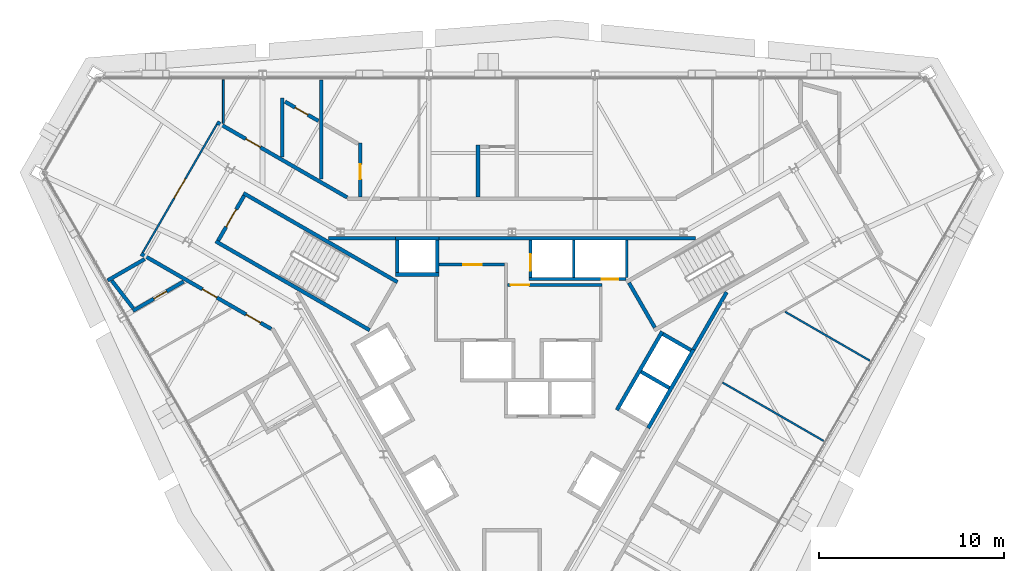
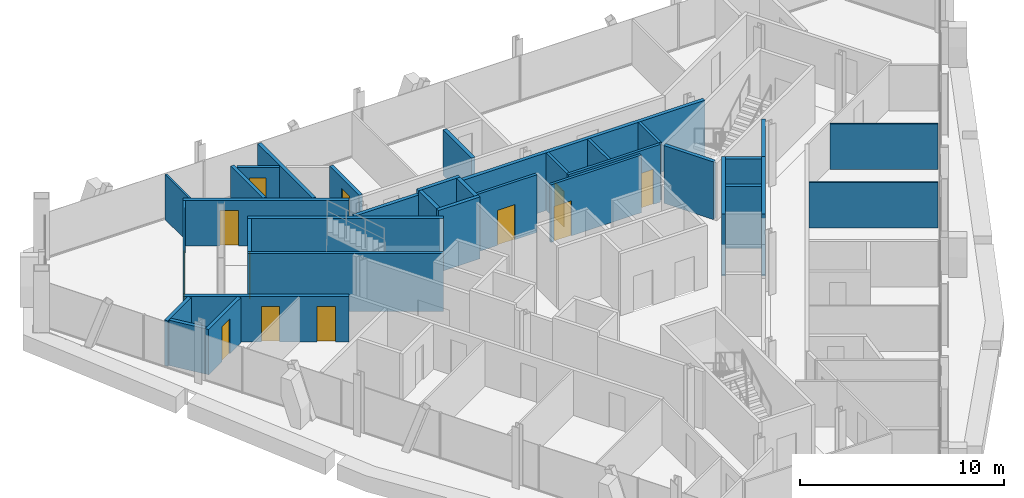
# One storey, part 13 of 16: 35 walls, 12 doors, 12 openings.
"""IFC4 building model written with IfcOpenShell, lengths in metres."""

from ifc_helpers import new_model, si_unit, direction, frame, frame_2d, origin, place, context, subcontext, project, spatial, rectangle, extrude, material, layer, layer_set, type_object, element, fill, save


model = new_model("IFC4")

# Units and contexts
model_context = context("Model", 3, precision=1e-05, world=origin(), true_north=direction((0.0, 1.0)))
body_context = subcontext(model_context, "Body", "Model", "MODEL_VIEW")
ifc_project = project(units=[si_unit("LENGTHUNIT", "METRE"), si_unit("AREAUNIT", "SQUARE_METRE"), si_unit("VOLUMEUNIT", "CUBIC_METRE"), si_unit("PLANEANGLEUNIT", "RADIAN"), si_unit("MASSUNIT", "GRAM", prefix="KILO")], contexts=[model_context])

# Site, building, storey
site_placement = place(None, origin())
site = spatial("IfcSite", under=ifc_project, at=site_placement, CompositionType="ELEMENT")
building_placement = place(site_placement, origin())
building = spatial("IfcBuilding", under=site, at=building_placement, Name="Verrane Prism Tower", CompositionType="ELEMENT")
storey_placement = place(building_placement, frame((0.0, 0.0, 239.699951171875)))
storey = spatial("IfcBuildingStorey", under=building, at=storey_placement, Name="L60", CompositionType="ELEMENT", Elevation=239.699951171875)

# Walls
ifc_material_1 = material(Name="Gypsum board partition", Category="other")
ifc_layer_1 = layer(ifc_material_1, 0.199951171875)
ifc_layer_set_1 = layer_set([ifc_layer_1], Name="CW-200 core boundary wall 2 h")
wall_type_1 = type_object("IfcWallType", Name="CW-200 core boundary wall 2 h", PredefinedType="PARTITIONING", material=ifc_layer_set_1)
wall_1_placement = place(storey_placement, frame((-9.907958984375, 7.659912109375, 0.0), z_axis=(0.0, 0.0, 1.0), x_axis=(1.0, 0.0, 0.0)))
element("IfcWall", 1, at=wall_1_placement, inside=storey, type_object=wall_type_1, Name="Core boundary wall CW3-002", PredefinedType="PARTITIONING", context=body_context, shape_type="SweptSolid", body=[
    extrude(rectangle(XDim=3.620849609375, YDim=0.199951171875, at=frame_2d((1.810546875, 0.0))), origin(), (0.0, 0.0, 1.0), 3.449951171875),
])
wall_2_placement = place(storey_placement, frame((-3.93310546875, 7.659912109375, 0.0), z_axis=(0.0, 0.0, 1.0), x_axis=(1.0, 0.0, 0.0)))
element("IfcWall", 2, at=wall_2_placement, inside=storey, type_object=wall_type_1, Name="Core boundary wall CW3-005", PredefinedType="PARTITIONING", context=body_context, shape_type="SweptSolid", body=[
    extrude(rectangle(XDim=13.841064453125, YDim=0.199951171875, at=frame_2d((6.92041015625, 0.0))), origin(), (0.0, 0.0, 1.0), 3.449951171875),
])
wall_3_placement = place(storey_placement, frame((9.802978515625, 1.657958984375, 0.0), z_axis=(0.0, 0.0, 1.0), x_axis=(0.499943114462, 0.866058244174, 0.0)))
element("IfcWall", 3, at=wall_3_placement, inside=storey, type_object=wall_type_1, Name="Core boundary wall CW3-008", PredefinedType="PARTITIONING", context=body_context, shape_type="SweptSolid", body=[
    extrude(rectangle(XDim=3.57568359375, YDim=0.199951171875, at=frame_2d((1.787841796875, 0.0))), origin(), (0.0, 0.0, 1.0), 3.449951171875),
])
ifc_material_2 = material(Name="Concrete C40/50", Category="concrete")
ifc_layer_2 = layer(ifc_material_2, 0.199951171875)
ifc_layer_set_2 = layer_set([ifc_layer_2], Name="CW-200 stair core wall concrete C40/50 3 h")
wall_type_2 = type_object("IfcWallType", Name="CW-200 stair core wall concrete C40/50 3 h", PredefinedType="PARTITIONING", material=ifc_layer_set_2)
wall_4_placement = place(storey_placement, frame((7.71484375, 2.837646484375, 0.0), z_axis=(0.0, 0.0, 1.0), x_axis=(-0.500049511043, 0.865996816683, 0.0)))
element("IfcWall", 4, at=wall_4_placement, inside=storey, type_object=wall_type_2, Name="Stair 1 enclosure wall", PredefinedType="PARTITIONING", context=body_context, shape_type="SweptSolid", body=[
    extrude(rectangle(XDim=2.800048828125, YDim=0.199951171875, at=frame_2d((1.39990234375, 0.0))), origin(), (0.0, 0.0, 1.0), 3.449951171875),
])

# Wall, opening, door
wall_5_placement = place(storey_placement, frame((-14.455322265625, 9.96240234375, 0.0), z_axis=(0.0, 0.0, 1.0), x_axis=(-0.500049511043, -0.865996816683, 0.0)))
wall_5 = element("IfcWall", 5, at=wall_5_placement, inside=storey, type_object=wall_type_2, Name="Stair 2 enclosure wall", PredefinedType="PARTITIONING", context=body_context, shape_type="SweptSolid", body=[
    extrude(rectangle(XDim=2.800048828125, YDim=0.199951171875, at=frame_2d((1.39990234375, 0.0))), origin(), (0.0, 0.0, 1.0), 3.449951171875),
])
opening_1_placement = place(wall_5_placement, frame((0.849853515625, 0.0, 0.0)))
opening_1 = element("IfcOpeningElement", 6, at=opening_1_placement, cuts=wall_5, Name="Opening D59501", PredefinedType="OPENING", context=body_context, shape_type="SweptSolid", body=[
    extrude(rectangle(XDim=1.10009765625, YDim=2.10009765625, at=frame_2d((0.550048828125, 1.050048828125))), frame((0.0, 0.10986328125, 0.0), z_axis=(0.0, -1.0, 0.0), x_axis=(1.0, 0.0, 0.0)), (0.0, 0.0, 1.0), 0.219970703125),
])
ifc_material_3 = material(Name="Timber veneered door leaf", Category="wood")
door_type_1 = type_object("IfcDoorType", Name="DR-1100x2100 FD90 single leaf stair", OperationType="NOTDEFINED", PredefinedType="DOOR", material=ifc_material_3)
door_1_placement = place(opening_1_placement, origin())
door_1 = element("IfcDoor", 7, at=door_1_placement, inside=storey, type_object=door_type_1, Name="Stair 2 door", OperationType="SINGLE_SWING_RIGHT", OverallHeight=2.10009765625, OverallWidth=1.10009765625, PredefinedType="DOOR", context=body_context, shape_type="SweptSolid", body=[
    extrude(rectangle(XDim=1.10009765625, YDim=2.10009765625, at=frame_2d((0.550048828125, 1.050048828125))), frame((0.0, 0.02490234375, 0.0), z_axis=(0.0, -1.0, 0.0), x_axis=(1.0, 0.0, 0.0)), (0.0, 0.0, 1.0), 0.050048828125),
])
fill(opening_1, door_1)

# Walls
for number, where, z_axis, x_axis, name in (
    (8, (-7.67822265625, 2.700927734375, 0.0), (0.0, 0.0, 1.0), (-0.866019993635, 0.500009370536, 0.0), "Stair 2 enclosure wall"),
    (9, (-6.17822265625, 5.299072265625, 0.0), (0.0, 0.0, 1.0), (-0.866019993635, 0.500009370536, 0.0), "Stair 2 enclosure wall"),
):
    element("IfcWall", number, at=place(storey_placement, frame(where, z_axis=z_axis, x_axis=x_axis)), inside=storey, type_object=wall_type_2, Name=name, PredefinedType="PARTITIONING", context=body_context, shape_type="SweptSolid", body=[
        extrude(rectangle(XDim=9.599853515625, YDim=0.199951171875, at=frame_2d((4.7998046875, 0.0))), origin(), (0.0, 0.0, 1.0), 3.449951171875),
    ])
ifc_material_4 = material(Name="Gypsum board shaft wall assembly", Category="other")
ifc_layer_3 = layer(ifc_material_4, 0.199951171875)
ifc_layer_set_3 = layer_set([ifc_layer_3], Name="HW-200 lift shaft wall 2 h")
wall_type_3 = type_object("IfcWallType", Name="HW-200 lift shaft wall 2 h", PredefinedType="PARTITIONING", material=ifc_layer_set_3)
for number, where, z_axis, x_axis, name in (
    (10, (-6.284912109375, 5.7099609375, 0.0), (0.0, 0.0, 1.0), (1.0, 0.0, 0.0), "Lift shaft wall"),
    (11, (-6.284912109375, 7.659912109375, 0.0), (0.0, 0.0, 1.0), (1.0, 0.0, 0.0), "Lift shaft wall"),
):
    element("IfcWall", number, at=place(storey_placement, frame(where, z_axis=z_axis, x_axis=x_axis)), inside=storey, type_object=wall_type_3, Name=name, PredefinedType="PARTITIONING", context=body_context, shape_type="SweptSolid", body=[
        extrude(rectangle(XDim=2.349853515625, YDim=0.199951171875, at=frame_2d((1.1748046875, 0.0))), origin(), (0.0, 0.0, 1.0), 3.699951171875),
    ])
wall_6_placement = place(storey_placement, frame((7.351318359375, -2.587158203125, 0.0), z_axis=(0.0, 0.0, 1.0), x_axis=(0.500002801628, 0.866023786258, 0.0)))
element("IfcWall", 12, at=wall_6_placement, inside=storey, type_object=wall_type_3, Name="Lift shaft wall", PredefinedType="PARTITIONING", context=body_context, shape_type="SweptSolid", body=[
    extrude(rectangle(XDim=4.89990234375, YDim=0.199951171875, at=frame_2d((2.449951171875, 0.0))), origin(), (0.0, 0.0, 1.0), 3.699951171875),
])
wall_7_placement = place(storey_placement, frame((5.66259765625, -1.6123046875, 0.0), z_axis=(0.0, 0.0, 1.0), x_axis=(0.49998122708, 0.866036242063, 0.0)))
element("IfcWall", 13, at=wall_7_placement, inside=storey, type_object=wall_type_3, Name="Lift shaft wall", PredefinedType="PARTITIONING", context=body_context, shape_type="SweptSolid", body=[
    extrude(rectangle(XDim=4.900146484375, YDim=0.199951171875, at=frame_2d((2.4501953125, 0.0))), origin(), (0.0, 0.0, 1.0), 3.699951171875),
])
for number, where, z_axis, x_axis, name in (
    (14, (-4.034912109375, 5.81005859375, 0.0), (0.0, 0.0, 1.0), (0.0, 1.0, 0.0), "Lift shaft wall"),
    (15, (-6.18505859375, 5.81005859375, 0.0), (0.0, 0.0, 1.0), (0.0, 1.0, 0.0), "Lift shaft wall"),
):
    element("IfcWall", number, at=place(storey_placement, frame(where, z_axis=z_axis, x_axis=x_axis)), inside=storey, type_object=wall_type_3, Name=name, PredefinedType="PARTITIONING", context=body_context, shape_type="SweptSolid", body=[
        extrude(rectangle(XDim=1.75, YDim=0.199951171875, at=frame_2d((0.875, 0.0))), origin(), (0.0, 0.0, 1.0), 3.699951171875),
    ])
wall_8_placement = place(storey_placement, frame((9.66455078125, 1.61962890625, 0.0), z_axis=(0.0, 0.0, 1.0), x_axis=(-0.866002029911, 0.500040482552, 0.0)))
element("IfcWall", 16, at=wall_8_placement, inside=storey, type_object=wall_type_3, Name="Lift shaft wall", PredefinedType="PARTITIONING", context=body_context, shape_type="SweptSolid", body=[
    extrude(rectangle(XDim=1.749755859375, YDim=0.199951171875, at=frame_2d((0.875, 0.0))), origin(), (0.0, 0.0, 1.0), 3.699951171875),
])
wall_9_placement = place(storey_placement, frame((8.48974609375, -0.41552734375, 0.0), z_axis=(0.0, 0.0, 1.0), x_axis=(-0.866036909293, 0.499980071345, 0.0)))
element("IfcWall", 17, at=wall_9_placement, inside=storey, type_object=wall_type_3, Name="Lift shaft wall", PredefinedType="PARTITIONING", context=body_context, shape_type="SweptSolid", body=[
    extrude(rectangle(XDim=1.75, YDim=0.199951171875, at=frame_2d((0.875, 0.0))), origin(), (0.0, 0.0, 1.0), 3.699951171875),
])

# Wall, opening, door
ifc_material_5 = material(Name="Gypsum board partition", Category="other")
ifc_layer_4 = layer(ifc_material_5, 0.14990234375)
ifc_layer_set_4 = layer_set([ifc_layer_4], Name="LF-150 firefighting lobby wall 1 h")
wall_type_4 = type_object("IfcWallType", Name="LF-150 firefighting lobby wall 1 h", PredefinedType="PARTITIONING", material=ifc_layer_set_4)
wall_10_placement = place(storey_placement, frame((-3.93310546875, 6.239990234375, 0.0), z_axis=(0.0, 0.0, 1.0), x_axis=(1.0, 0.0, 0.0)))
wall_10 = element("IfcWall", 18, at=wall_10_placement, inside=storey, type_object=wall_type_4, Name="Firefighting lobby wall LF1-003", PredefinedType="PARTITIONING", context=body_context, shape_type="SweptSolid", body=[
    extrude(rectangle(XDim=3.5380859375, YDim=0.14990234375, at=frame_2d((1.76904296875, 0.0))), origin(), (0.0, 0.0, 1.0), 3.449951171875),
])
opening_2_placement = place(wall_10_placement, frame((1.300048828125, 0.0, 0.0)))
opening_2 = element("IfcOpeningElement", 19, at=opening_2_placement, cuts=wall_10, Name="Opening D59511", PredefinedType="OPENING", context=body_context, shape_type="SweptSolid", body=[
    extrude(rectangle(XDim=1.0, YDim=2.10009765625, at=frame_2d((0.5, 1.050048828125))), frame((0.0, 0.0849609375, 0.0), z_axis=(0.0, -1.0, 0.0), x_axis=(1.0, 0.0, 0.0)), (0.0, 0.0, 1.0), 0.169921875),
])
ifc_material_6 = material(Name="Timber veneered door leaf", Category="wood")
door_type_2 = type_object("IfcDoorType", Name="DR-1000x2100 FD60 single leaf firefighting lobby", OperationType="NOTDEFINED", PredefinedType="DOOR", material=ifc_material_6)
door_2_placement = place(opening_2_placement, origin())
door_2 = element("IfcDoor", 20, at=door_2_placement, inside=storey, type_object=door_type_2, Name="Firefighting lobby door D59511", OperationType="SINGLE_SWING_LEFT", OverallHeight=2.10009765625, OverallWidth=1.0, PredefinedType="DOOR", context=body_context, shape_type="SweptSolid", body=[
    extrude(rectangle(XDim=1.0, YDim=2.10009765625, at=frame_2d((0.5, 1.050048828125))), frame((0.0, 0.02490234375, 0.0), z_axis=(0.0, -1.0, 0.0), x_axis=(1.0, 0.0, 0.0)), (0.0, 0.0, 1.0), 0.050048828125),
])
fill(opening_2, door_2)

wall_11_placement = place(storey_placement, frame((-0.2451171875, 5.139892578125, 0.0), z_axis=(0.0, 0.0, 1.0), x_axis=(1.0, 0.0, 0.0)))
wall_11 = element("IfcWall", 21, at=wall_11_placement, inside=storey, type_object=wall_type_4, Name="Firefighting lobby wall LF1-005", PredefinedType="PARTITIONING", context=body_context, shape_type="SweptSolid", body=[
    extrude(rectangle(XDim=5.110107421875, YDim=0.14990234375, at=frame_2d((2.55517578125, 0.0))), origin(), (0.0, 0.0, 1.0), 3.449951171875),
])
opening_3_placement = place(wall_11_placement, frame((0.175048828125, 0.0, 0.0)))
opening_3 = element("IfcOpeningElement", 22, at=opening_3_placement, cuts=wall_11, Name="Opening D59512", PredefinedType="OPENING", context=body_context, shape_type="SweptSolid", body=[
    extrude(rectangle(XDim=1.0, YDim=2.10009765625, at=frame_2d((0.5, 1.050048828125))), frame((0.0, 0.0849609375, 0.0), z_axis=(0.0, -1.0, 0.0), x_axis=(1.0, 0.0, 0.0)), (0.0, 0.0, 1.0), 0.169921875),
])
door_3_placement = place(opening_3_placement, origin())
door_3 = element("IfcDoor", 23, at=door_3_placement, inside=storey, type_object=door_type_2, Name="Firefighting lobby door D59512", OperationType="SINGLE_SWING_LEFT", OverallHeight=2.10009765625, OverallWidth=1.0, PredefinedType="DOOR", context=body_context, shape_type="SweptSolid", body=[
    extrude(rectangle(XDim=1.0, YDim=2.10009765625, at=frame_2d((0.5, 1.050048828125))), frame((0.0, 0.02490234375, 0.0), z_axis=(0.0, -1.0, 0.0), x_axis=(1.0, 0.0, 0.0)), (0.0, 0.0, 1.0), 0.050048828125),
])
fill(opening_3, door_3)

ifc_material_7 = material(Name="Gypsum board partition", Category="other")
ifc_layer_5 = layer(ifc_material_7, 0.10009765625)
ifc_layer_set_5 = layer_set([ifc_layer_5], Name="PW-100 room partition")
wall_type_5 = type_object("IfcWallType", Name="PW-100 room partition", PredefinedType="PARTITIONING", material=ifc_layer_set_5)
wall_12_placement = place(storey_placement, frame((-19.929931640625, 6.8876953125, 0.0), z_axis=(0.0, 0.0, 1.0), x_axis=(0.500420003794, 0.865782778648, 0.0)))
wall_12 = element("IfcWall", 24, at=wall_12_placement, inside=storey, type_object=wall_type_5, Name="Room partition 004", PredefinedType="PARTITIONING", context=body_context, shape_type="SweptSolid", body=[
    extrude(rectangle(XDim=7.9970703125, YDim=0.10009765625, at=frame_2d((3.99853515625, 0.0))), origin(), (0.0, 0.0, 1.0), 2.713134765625),
])
opening_4_placement = place(wall_12_placement, frame((3.39990234375, 0.0, 0.0)))
opening_4 = element("IfcOpeningElement", 25, at=opening_4_placement, cuts=wall_12, Name="Opening D59011", PredefinedType="OPENING", context=body_context, shape_type="SweptSolid", body=[
    extrude(rectangle(XDim=1.199951171875, YDim=2.10009765625, at=frame_2d((0.60009765625, 1.050048828125))), frame((0.0, 0.06005859375, 0.0), z_axis=(0.0, -1.0, 0.0), x_axis=(1.0, 0.0, 0.0)), (0.0, 0.0, 1.0), 0.1201171875),
])
ifc_material_8 = material(Name="Timber veneered door leaf", Category="wood")
door_type_3 = type_object("IfcDoorType", Name="DR-1200x2100 single leaf unit", OperationType="NOTDEFINED", PredefinedType="DOOR", material=ifc_material_8)
door_4_placement = place(opening_4_placement, origin())
door_4 = element("IfcDoor", 26, at=door_4_placement, inside=storey, type_object=door_type_3, Name="Living And Dining Room door", OperationType="SINGLE_SWING_LEFT", OverallHeight=2.10009765625, OverallWidth=1.199951171875, PredefinedType="DOOR", context=body_context, shape_type="SweptSolid", body=[
    extrude(rectangle(XDim=1.199951171875, YDim=2.10009765625, at=frame_2d((0.60009765625, 1.050048828125))), frame((0.0, 0.02490234375, 0.0), z_axis=(0.0, -1.0, 0.0), x_axis=(1.0, 0.0, 0.0)), (0.0, 0.0, 1.0), 0.050048828125),
])
fill(opening_4, door_4)

# Walls
wall_13_placement = place(storey_placement, frame((-15.572998046875, 13.8662109375, 0.0), z_axis=(0.0, 0.0, 1.0), x_axis=(0.0, 1.0, 0.0)))
element("IfcWall", 27, at=wall_13_placement, inside=storey, type_object=wall_type_5, Name="Room partition 009", PredefinedType="PARTITIONING", context=body_context, shape_type="SweptSolid", body=[
    extrude(rectangle(XDim=2.33984375, YDim=0.10009765625, at=frame_2d((1.169921875, 0.0))), origin(), (0.0, 0.0, 1.0), 2.713134765625),
])
wall_14_placement = place(storey_placement, frame((11.362548828125, -0.123046875, 0.0), z_axis=(0.0, 0.0, 1.0), x_axis=(0.866027573341, -0.4999962422, 0.0)))
element("IfcWall", 28, at=wall_14_placement, inside=storey, type_object=wall_type_5, Name="Room partition 049", PredefinedType="PARTITIONING", context=body_context, shape_type="SweptSolid", body=[
    extrude(rectangle(XDim=6.3037109375, YDim=0.10009765625, at=frame_2d((3.15185546875, 0.0))), origin(), (0.0, 0.0, 1.0), 2.713134765625),
])
wall_15_placement = place(storey_placement, frame((14.748046875, 3.694580078125, 0.0), z_axis=(0.0, 0.0, 1.0), x_axis=(0.86599232748, -0.500057285464, 0.0)))
element("IfcWall", 29, at=wall_15_placement, inside=storey, type_object=wall_type_5, Name="Room partition 051", PredefinedType="PARTITIONING", context=body_context, shape_type="SweptSolid", body=[
    extrude(rectangle(XDim=5.28076171875, YDim=0.10009765625, at=frame_2d((2.640380859375, 0.0))), origin(), (0.0, 0.0, 1.0), 2.713134765625),
])
ifc_material_9 = material(Name="Gypsum board partition", Category="other")
ifc_layer_6 = layer(ifc_material_9, 0.199951171875)
ifc_layer_set_6 = layer_set([ifc_layer_6], Name="PW-200 plumbing wall")
wall_type_6 = type_object("IfcWallType", Name="PW-200 plumbing wall", PredefinedType="PARTITIONING", material=ifc_layer_set_6)
wall_16_placement = place(storey_placement, frame((-21.821044921875, 5.384033203125, 0.0), z_axis=(0.0, 0.0, 1.0), x_axis=(0.866178541367, 0.499734664072, 0.0)))
element("IfcWall", 30, at=wall_16_placement, inside=storey, type_object=wall_type_6, Name="Plumbing wall 001", PredefinedType="PARTITIONING", context=body_context, shape_type="SweptSolid", body=[
    extrude(rectangle(XDim=2.307861328125, YDim=0.199951171875, at=frame_2d((1.15380859375, 0.0))), origin(), (0.0, 0.0, 1.0), 2.713134765625),
])
wall_17_placement = place(storey_placement, frame((-21.6015625, 5.37841796875, 0.0), z_axis=(0.0, 0.0, 1.0), x_axis=(0.613269592497, -0.789873665163, 0.0)))
element("IfcWall", 31, at=wall_17_placement, inside=storey, type_object=wall_type_6, Name="Plumbing wall 002", PredefinedType="PARTITIONING", context=body_context, shape_type="SweptSolid", body=[
    extrude(rectangle(XDim=1.8896484375, YDim=0.199951171875, at=frame_2d((0.94482421875, 0.0))), origin(), (0.0, 0.0, 1.0), 2.713134765625),
])

# Wall, opening, door
wall_18_placement = place(storey_placement, frame((-20.45849609375, 3.744873046875, 0.0), z_axis=(0.0, 0.0, 1.0), x_axis=(0.865942402911, 0.500143734182, 0.0)))
wall_18 = element("IfcWall", 32, at=wall_18_placement, inside=storey, type_object=wall_type_6, Name="Plumbing wall 003", PredefinedType="PARTITIONING", context=body_context, shape_type="SweptSolid", body=[
    extrude(rectangle(XDim=3.16015625, YDim=0.199951171875, at=frame_2d((1.580078125, 0.0))), origin(), (0.0, 0.0, 1.0), 2.713134765625),
])
opening_5_placement = place(wall_18_placement, frame((1.300048828125, 0.0, 0.0)))
opening_5 = element("IfcOpeningElement", 33, at=opening_5_placement, cuts=wall_18, Name="Opening D59013", PredefinedType="OPENING", context=body_context, shape_type="SweptSolid", body=[
    extrude(rectangle(XDim=0.800048828125, YDim=2.10009765625, at=frame_2d((0.39990234375, 1.050048828125))), frame((0.0, 0.10986328125, 0.0), z_axis=(0.0, -1.0, 0.0), x_axis=(1.0, 0.0, 0.0)), (0.0, 0.0, 1.0), 0.219970703125),
])
ifc_material_10 = material(Name="Timber veneered door leaf", Category="wood")
door_type_4 = type_object("IfcDoorType", Name="DR-800x2100 single leaf bath", OperationType="NOTDEFINED", PredefinedType="DOOR", material=ifc_material_10)
door_5_placement = place(opening_5_placement, origin())
door_5 = element("IfcDoor", 34, at=door_5_placement, inside=storey, type_object=door_type_4, Name="Bathroom door", OperationType="SINGLE_SWING_LEFT", OverallHeight=2.10009765625, OverallWidth=0.800048828125, PredefinedType="DOOR", context=body_context, shape_type="SweptSolid", body=[
    extrude(rectangle(XDim=0.800048828125, YDim=2.10009765625, at=frame_2d((0.39990234375, 1.050048828125))), frame((0.0, 0.02490234375, 0.0), z_axis=(0.0, -1.0, 0.0), x_axis=(1.0, 0.0, 0.0)), (0.0, 0.0, 1.0), 0.050048828125),
])
fill(opening_5, door_5)

# Wall, openings, doors
wall_19_placement = place(storey_placement, frame((-12.994873046875, 2.76953125, 0.0), z_axis=(0.0, 0.0, 1.0), x_axis=(-0.866100425926, 0.499870035319, 0.0)))
wall_19 = element("IfcWall", 35, at=wall_19_placement, inside=storey, type_object=wall_type_6, Name="Plumbing wall 005", PredefinedType="PARTITIONING", context=body_context, shape_type="SweptSolid", body=[
    extrude(rectangle(XDim=8.114990234375, YDim=0.199951171875, at=frame_2d((4.0576171875, 0.0))), origin(), (0.0, 0.0, 1.0), 2.713134765625),
])
opening_6_placement = place(wall_19_placement, frame((3.385009765625, 0.0, 0.0)))
opening_6 = element("IfcOpeningElement", 36, at=opening_6_placement, cuts=wall_19, Name="Opening D59012", PredefinedType="OPENING", context=body_context, shape_type="SweptSolid", body=[
    extrude(rectangle(XDim=0.89990234375, YDim=2.10009765625, at=frame_2d((0.449951171875, 1.050048828125))), frame((0.0, 0.10986328125, 0.0), z_axis=(0.0, -1.0, 0.0), x_axis=(1.0, 0.0, 0.0)), (0.0, 0.0, 1.0), 0.219970703125),
])
opening_7_placement = place(wall_19_placement, frame((0.6650390625, 0.0, 0.0)))
opening_7 = element("IfcOpeningElement", 37, at=opening_7_placement, cuts=wall_19, Name="Opening D59014", PredefinedType="OPENING", context=body_context, shape_type="SweptSolid", body=[
    extrude(rectangle(XDim=0.89990234375, YDim=2.10009765625, at=frame_2d((0.449951171875, 1.050048828125))), frame((0.0, 0.10986328125, 0.0), z_axis=(0.0, -1.0, 0.0), x_axis=(1.0, 0.0, 0.0)), (0.0, 0.0, 1.0), 0.219970703125),
])
ifc_material_11 = material(Name="Timber veneered door leaf", Category="wood")
door_type_5 = type_object("IfcDoorType", Name="DR-900x2100 single leaf inner", OperationType="NOTDEFINED", PredefinedType="DOOR", material=ifc_material_11)
door_6_placement = place(opening_6_placement, origin())
door_6 = element("IfcDoor", 38, at=door_6_placement, inside=storey, type_object=door_type_5, Name="Bedroom door", OperationType="SINGLE_SWING_LEFT", OverallHeight=2.10009765625, OverallWidth=0.89990234375, PredefinedType="DOOR", context=body_context, shape_type="SweptSolid", body=[
    extrude(rectangle(XDim=0.89990234375, YDim=2.10009765625, at=frame_2d((0.449951171875, 1.050048828125))), frame((0.0, 0.02490234375, 0.0), z_axis=(0.0, -1.0, 0.0), x_axis=(1.0, 0.0, 0.0)), (0.0, 0.0, 1.0), 0.050048828125),
])
fill(opening_6, door_6)
ifc_material_12 = material(Name="Timber veneered door leaf", Category="wood")
door_type_6 = type_object("IfcDoorType", Name="DR-900x2100 single leaf unit", OperationType="NOTDEFINED", PredefinedType="DOOR", material=ifc_material_12)
door_7_placement = place(opening_7_placement, origin())
door_7 = element("IfcDoor", 39, at=door_7_placement, inside=storey, type_object=door_type_6, Name="Kitchen door", OperationType="SINGLE_SWING_LEFT", OverallHeight=2.10009765625, OverallWidth=0.89990234375, PredefinedType="DOOR", context=body_context, shape_type="SweptSolid", body=[
    extrude(rectangle(XDim=0.89990234375, YDim=2.10009765625, at=frame_2d((0.449951171875, 1.050048828125))), frame((0.0, 0.02490234375, 0.0), z_axis=(0.0, -1.0, 0.0), x_axis=(1.0, 0.0, 0.0)), (0.0, 0.0, 1.0), 0.050048828125),
])
fill(opening_7, door_7)

# Wall, opening, door
wall_20_placement = place(storey_placement, frame((-15.92138671875, 13.923095703125, 0.0), z_axis=(0.0, 0.0, 1.0), x_axis=(0.866079355551, -0.499906541154, 0.0)))
wall_20 = element("IfcWall", 40, at=wall_20_placement, inside=storey, type_object=wall_type_6, Name="Plumbing wall 008", PredefinedType="PARTITIONING", context=body_context, shape_type="SweptSolid", body=[
    extrude(rectangle(XDim=8.11279296875, YDim=0.199951171875, at=frame_2d((4.056396484375, 0.0))), origin(), (0.0, 0.0, 1.0), 2.713134765625),
])
opening_8_placement = place(wall_20_placement, frame((1.802001953125, 0.0, 0.0)))
opening_8 = element("IfcOpeningElement", 41, at=opening_8_placement, cuts=wall_20, Name="Opening D59009", PredefinedType="OPENING", context=body_context, shape_type="SweptSolid", body=[
    extrude(rectangle(XDim=0.89990234375, YDim=2.10009765625, at=frame_2d((0.449951171875, 1.050048828125))), frame((0.0, 0.10986328125, 0.0), z_axis=(0.0, -1.0, 0.0), x_axis=(1.0, 0.0, 0.0)), (0.0, 0.0, 1.0), 0.219970703125),
])
door_8_placement = place(opening_8_placement, origin())
door_8 = element("IfcDoor", 42, at=door_8_placement, inside=storey, type_object=door_type_5, Name="Bedroom door", OperationType="SINGLE_SWING_LEFT", OverallHeight=2.10009765625, OverallWidth=0.89990234375, PredefinedType="DOOR", context=body_context, shape_type="SweptSolid", body=[
    extrude(rectangle(XDim=0.89990234375, YDim=2.10009765625, at=frame_2d((0.449951171875, 1.050048828125))), frame((0.0, 0.02490234375, 0.0), z_axis=(0.0, -1.0, 0.0), x_axis=(1.0, 0.0, 0.0)), (0.0, 0.0, 1.0), 0.050048828125),
])
fill(opening_8, door_8)

# Wall
wall_21_placement = place(storey_placement, frame((-12.39404296875, 12.06005859375, 0.0), z_axis=(0.0, 0.0, 1.0), x_axis=(0.0, 1.0, 0.0)))
element("IfcWall", 43, at=wall_21_placement, inside=storey, type_object=wall_type_6, Name="Plumbing wall 014", PredefinedType="PARTITIONING", context=body_context, shape_type="SweptSolid", body=[
    extrude(rectangle(XDim=3.159912109375, YDim=0.199951171875, at=frame_2d((1.580078125, 0.0))), origin(), (0.0, 0.0, 1.0), 2.713134765625),
])

# Wall, opening, door
wall_22_placement = place(storey_placement, frame((-10.444091796875, 13.99462890625, 0.0), z_axis=(0.0, 0.0, 1.0), x_axis=(-0.866134808485, 0.499810457605, 0.0)))
wall_22 = element("IfcWall", 44, at=wall_22_placement, inside=storey, type_object=wall_type_6, Name="Plumbing wall 015", PredefinedType="PARTITIONING", context=body_context, shape_type="SweptSolid", body=[
    extrude(rectangle(XDim=2.081298828125, YDim=0.199951171875, at=frame_2d((1.04052734375, 0.0))), origin(), (0.0, 0.0, 1.0), 2.713134765625),
])
opening_9_placement = place(wall_22_placement, frame((0.6513671875, 0.0, 0.0)))
opening_9 = element("IfcOpeningElement", 45, at=opening_9_placement, cuts=wall_22, Name="Opening D59010", PredefinedType="OPENING", context=body_context, shape_type="SweptSolid", body=[
    extrude(rectangle(XDim=0.800048828125, YDim=2.10009765625, at=frame_2d((0.39990234375, 1.050048828125))), frame((0.0, 0.10986328125, 0.0), z_axis=(0.0, -1.0, 0.0), x_axis=(1.0, 0.0, 0.0)), (0.0, 0.0, 1.0), 0.219970703125),
])
door_9_placement = place(opening_9_placement, origin())
door_9 = element("IfcDoor", 46, at=door_9_placement, inside=storey, type_object=door_type_4, Name="Bathroom door", OperationType="SINGLE_SWING_LEFT", OverallHeight=2.10009765625, OverallWidth=0.800048828125, PredefinedType="DOOR", context=body_context, shape_type="SweptSolid", body=[
    extrude(rectangle(XDim=0.800048828125, YDim=2.10009765625, at=frame_2d((0.39990234375, 1.050048828125))), frame((0.0, 0.02490234375, 0.0), z_axis=(0.0, -1.0, 0.0), x_axis=(1.0, 0.0, 0.0)), (0.0, 0.0, 1.0), 0.050048828125),
])
fill(opening_9, door_9)

# Wall
wall_23_placement = place(storey_placement, frame((-10.2939453125, 10.84814453125, 0.0), z_axis=(0.0, 0.0, 1.0), x_axis=(0.0, 1.0, 0.0)))
element("IfcWall", 47, at=wall_23_placement, inside=storey, type_object=wall_type_6, Name="Plumbing wall 017", PredefinedType="PARTITIONING", context=body_context, shape_type="SweptSolid", body=[
    extrude(rectangle(XDim=5.35791015625, YDim=0.199951171875, at=frame_2d((2.678955078125, 0.0))), origin(), (0.0, 0.0, 1.0), 2.713134765625),
])

# Wall, opening, door
wall_24_placement = place(storey_placement, frame((-8.194091796875, 9.89990234375, 0.0), z_axis=(0.0, 0.0, 1.0), x_axis=(0.0, 1.0, 0.0)))
wall_24 = element("IfcWall", 48, at=wall_24_placement, inside=storey, type_object=wall_type_6, Name="Plumbing wall 021", PredefinedType="PARTITIONING", context=body_context, shape_type="SweptSolid", body=[
    extrude(rectangle(XDim=2.89599609375, YDim=0.199951171875, at=frame_2d((1.447998046875, 0.0))), origin(), (0.0, 0.0, 1.0), 2.713134765625),
])
opening_10_placement = place(wall_24_placement, frame((0.949951171875, 0.0, 0.0)))
opening_10 = element("IfcOpeningElement", 49, at=opening_10_placement, cuts=wall_24, Name="Opening D59008", PredefinedType="OPENING", context=body_context, shape_type="SweptSolid", body=[
    extrude(rectangle(XDim=0.800048828125, YDim=2.10009765625, at=frame_2d((0.39990234375, 1.050048828125))), frame((0.0, 0.10986328125, 0.0), z_axis=(0.0, -1.0, 0.0), x_axis=(1.0, 0.0, 0.0)), (0.0, 0.0, 1.0), 0.219970703125),
])
door_10_placement = place(opening_10_placement, origin())
door_10 = element("IfcDoor", 50, at=door_10_placement, inside=storey, type_object=door_type_4, Name="Bathroom door", OperationType="SINGLE_SWING_RIGHT", OverallHeight=2.10009765625, OverallWidth=0.800048828125, PredefinedType="DOOR", context=body_context, shape_type="SweptSolid", body=[
    extrude(rectangle(XDim=0.800048828125, YDim=2.10009765625, at=frame_2d((0.39990234375, 1.050048828125))), frame((0.0, 0.02490234375, 0.0), z_axis=(0.0, -1.0, 0.0), x_axis=(1.0, 0.0, 0.0)), (0.0, 0.0, 1.0), 0.050048828125),
])
fill(opening_10, door_10)

# Wall
wall_25_placement = place(storey_placement, frame((-1.8359375, 9.89990234375, 0.0), z_axis=(0.0, 0.0, 1.0), x_axis=(0.0, 1.0, 0.0)))
element("IfcWall", 51, at=wall_25_placement, inside=storey, type_object=wall_type_6, Name="Plumbing wall 030", PredefinedType="PARTITIONING", context=body_context, shape_type="SweptSolid", body=[
    extrude(rectangle(XDim=2.800048828125, YDim=0.199951171875, at=frame_2d((1.39990234375, 0.0))), origin(), (0.0, 0.0, 1.0), 2.713134765625),
])

# Wall, opening, door
ifc_material_13 = material(Name="Gypsum board partition", Category="other")
ifc_layer_7 = layer(ifc_material_13, 0.14990234375)
ifc_layer_set_7 = layer_set([ifc_layer_7], Name="RS-150 riser enclosure wall 1 h")
wall_type_7 = type_object("IfcWallType", Name="RS-150 riser enclosure wall 1 h", PredefinedType="PARTITIONING", material=ifc_layer_set_7)
wall_26_placement = place(storey_placement, frame((1.0, 7.56005859375, 0.0), z_axis=(0.0, 0.0, 1.0), x_axis=(0.0, -1.0, 0.0)))
wall_26 = element("IfcWall", 52, at=wall_26_placement, inside=storey, type_object=wall_type_7, Name="Riser wall RS3-001", PredefinedType="PARTITIONING", context=body_context, shape_type="SweptSolid", body=[
    extrude(rectangle(XDim=2.025146484375, YDim=0.14990234375, at=frame_2d((1.0126953125, 0.0))), origin(), (0.0, 0.0, 1.0), 3.449951171875),
])
opening_11_placement = place(wall_26_placement, frame((0.75, 0.0, 0.0)))
opening_11 = element("IfcOpeningElement", 53, at=opening_11_placement, cuts=wall_26, Name="Opening D59513", PredefinedType="OPENING", context=body_context, shape_type="SweptSolid", body=[
    extrude(rectangle(XDim=0.89990234375, YDim=2.10009765625, at=frame_2d((0.449951171875, 1.050048828125))), frame((0.0, 0.0849609375, 0.0), z_axis=(0.0, -1.0, 0.0), x_axis=(1.0, 0.0, 0.0)), (0.0, 0.0, 1.0), 0.169921875),
])
ifc_material_14 = material(Name="Timber veneered door leaf", Category="wood")
door_type_7 = type_object("IfcDoorType", Name="DR-900x2100 FD60 single leaf riser", OperationType="NOTDEFINED", PredefinedType="DOOR", material=ifc_material_14)
door_11_placement = place(opening_11_placement, origin())
door_11 = element("IfcDoor", 54, at=door_11_placement, inside=storey, type_object=door_type_7, Name="Riser door D59513", OperationType="SINGLE_SWING_RIGHT", OverallHeight=2.10009765625, OverallWidth=0.89990234375, PredefinedType="DOOR", context=body_context, shape_type="SweptSolid", body=[
    extrude(rectangle(XDim=0.89990234375, YDim=2.10009765625, at=frame_2d((0.449951171875, 1.050048828125))), frame((0.0, 0.02490234375, 0.0), z_axis=(0.0, -1.0, 0.0), x_axis=(1.0, 0.0, 0.0)), (0.0, 0.0, 1.0), 0.050048828125),
])
fill(opening_11, door_11)

wall_27_placement = place(storey_placement, frame((0.925048828125, 5.4599609375, 0.0), z_axis=(0.0, 0.0, 1.0), x_axis=(1.0, 0.0, 0.0)))
wall_27 = element("IfcWall", 55, at=wall_27_placement, inside=storey, type_object=wall_type_7, Name="Riser wall RS3-002", PredefinedType="PARTITIONING", context=body_context, shape_type="SweptSolid", body=[
    extrude(rectangle(XDim=5.219970703125, YDim=0.14990234375, at=frame_2d((2.60986328125, 0.0))), origin(), (0.0, 0.0, 1.0), 3.449951171875),
])
opening_12_placement = place(wall_27_placement, frame((3.9150390625, 0.0, 0.0)))
opening_12 = element("IfcOpeningElement", 56, at=opening_12_placement, cuts=wall_27, Name="Opening D59514", PredefinedType="OPENING", context=body_context, shape_type="SweptSolid", body=[
    extrude(rectangle(XDim=0.89990234375, YDim=2.10009765625, at=frame_2d((0.449951171875, 1.050048828125))), frame((0.0, 0.0849609375, 0.0), z_axis=(0.0, -1.0, 0.0), x_axis=(1.0, 0.0, 0.0)), (0.0, 0.0, 1.0), 0.169921875),
])
door_12_placement = place(opening_12_placement, origin())
door_12 = element("IfcDoor", 57, at=door_12_placement, inside=storey, type_object=door_type_7, Name="Riser door D59514", OperationType="SINGLE_SWING_RIGHT", OverallHeight=2.10009765625, OverallWidth=0.89990234375, PredefinedType="DOOR", context=body_context, shape_type="SweptSolid", body=[
    extrude(rectangle(XDim=0.89990234375, YDim=2.10009765625, at=frame_2d((0.449951171875, 1.050048828125))), frame((0.0, 0.02490234375, 0.0), z_axis=(0.0, -1.0, 0.0), x_axis=(1.0, 0.0, 0.0)), (0.0, 0.0, 1.0), 0.050048828125),
])
fill(opening_12, door_12)

# Walls
for number, where, z_axis, x_axis, name in (
    (58, (3.340087890625, 5.534912109375, 0.0), (0.0, 0.0, 1.0), (0.0, 1.0, 0.0), "Riser wall RS3-003"),
    (59, (6.199951171875, 5.534912109375, 0.0), (0.0, 0.0, 1.0), (0.0, 1.0, 0.0), "Riser wall RS3-004"),
):
    element("IfcWall", number, at=place(storey_placement, frame(where, z_axis=z_axis, x_axis=x_axis)), inside=storey, type_object=wall_type_7, Name=name, PredefinedType="PARTITIONING", context=body_context, shape_type="SweptSolid", body=[
        extrude(rectangle(XDim=2.025146484375, YDim=0.14990234375, at=frame_2d((1.0126953125, 0.0))), origin(), (0.0, 0.0, 1.0), 3.449951171875),
    ])

save(model, "model.ifc")
